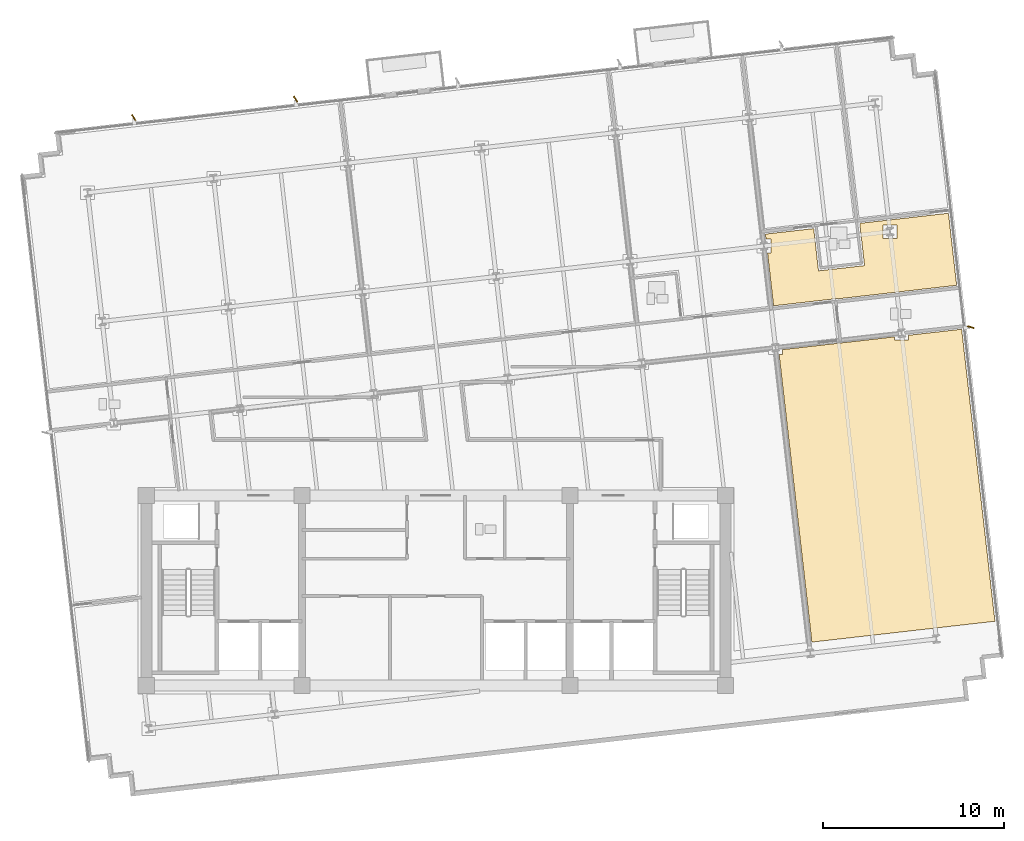
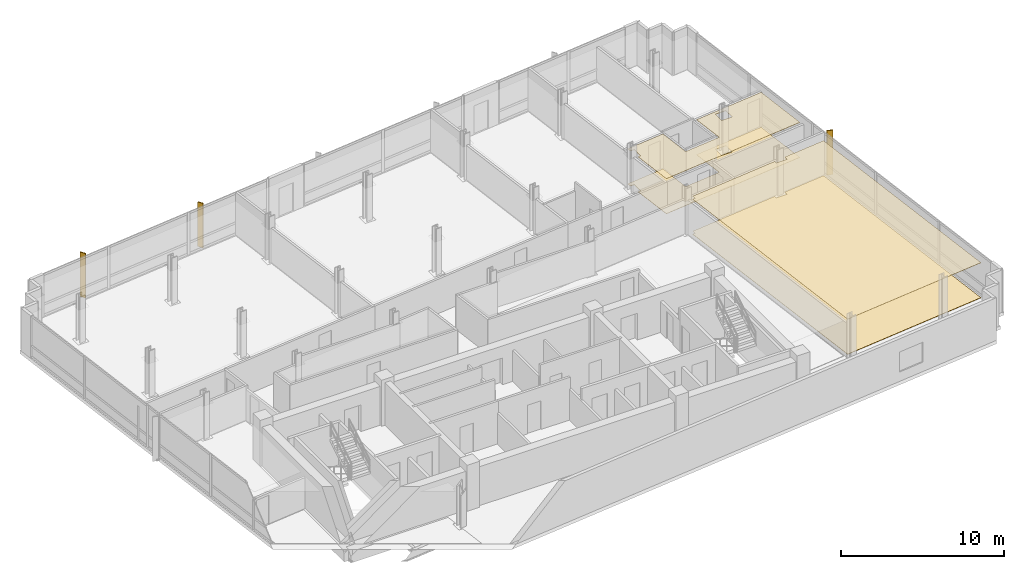
# One storey, part 14 of 16: 4 coverings, 3 shading devices.
"""IFC4 building model written with IfcOpenShell, lengths in metres."""

from ifc_helpers import new_model, si_unit, direction, frame, origin, origin_2d, place, context, subcontext, project, spatial, polyline, rectangle, outline, extrude, material, layer, layer_set, type_object, element, save


model = new_model("IFC4")

# Units and contexts
model_context = context("Model", 3, precision=1e-05, world=origin(), true_north=direction((0.0, 1.0)))
body_context = subcontext(model_context, "Body", "Model", "MODEL_VIEW")
ifc_project = project(units=[si_unit("LENGTHUNIT", "METRE"), si_unit("AREAUNIT", "SQUARE_METRE"), si_unit("VOLUMEUNIT", "CUBIC_METRE"), si_unit("PLANEANGLEUNIT", "RADIAN"), si_unit("MASSUNIT", "GRAM", prefix="KILO")], contexts=[model_context])

# Site, building, storey
site_placement = place(None, origin())
site = spatial("IfcSite", under=ifc_project, at=site_placement, CompositionType="ELEMENT")
building_placement = place(site_placement, origin())
building = spatial("IfcBuilding", under=site, at=building_placement, Name="Solmavex Isthmus Hotel", CompositionType="ELEMENT")
storey_placement = place(building_placement, frame((0.0, 0.0, 233.10009765625)))
storey = spatial("IfcBuildingStorey", under=building, at=storey_placement, Name="L63", CompositionType="ELEMENT", Elevation=233.10009765625)

# Coverings
ifc_material_1 = material(Name="Gypsum plasterboard lining", Category="gypsum")
ifc_layer_1 = layer(ifc_material_1, 0.030029296875)
ifc_layer_set_1 = layer_set([ifc_layer_1], Name="Gypsum plasterboard lining")
covering_type_1 = type_object("IfcCoveringType", Name="COV-CEIL-GYP", PredefinedType="CEILING", material=ifc_layer_set_1)
covering_1_placement = place(storey_placement, frame((0.0, 0.0, 2.619873046875)))
element("IfcCovering", 1, at=covering_1_placement, inside=storey, type_object=covering_type_1, Name="Suspended Acoustic Ceiling L63-SH04-LV", PredefinedType="CEILING", context=body_context, shape_type="SweptSolid", body=[
    extrude(outline(polyline([(18.23193359375, 11.6640625), (18.499267578125, 11.6640625), (18.499267578125, 10.904052734375), (18.318359375, 10.904052734375), (18.651611328125, 7.97998046875), (22.228515625, 8.3876953125), (22.230712890625, 8.36767578125), (28.766357421875, 9.1123046875), (28.312744140625, 13.094482421875), (23.410400390625, 12.5361328125), (23.676513671875, 10.201171875), (21.133056640625, 9.911376953125), (20.866943359375, 12.246337890625), (18.2001953125, 11.9423828125), (18.23193359375, 11.6640625)]), holes=[polyline([(24.7021484375, 11.697265625), (24.7021484375, 12.457275390625), (25.462158203125, 12.457275390625), (25.462158203125, 11.697265625), (24.7021484375, 11.697265625)])]), origin(), (0.0, 0.0, 1.0), 0.030029296875),
])
covering_2_placement = place(storey_placement, frame((0.0, 0.0, 2.619873046875)))
element("IfcCovering", 2, at=covering_2_placement, inside=storey, type_object=covering_type_1, Name="Suspended Acoustic Ceiling L63-FL11", PredefinedType="CEILING", context=body_context, shape_type="SweptSolid", body=[
    extrude(outline(polyline([(19.138427734375, 5.5595703125), (19.138427734375, 5.292236328125), (18.957763671875, 5.292236328125), (20.7685546875, -10.599853515625), (30.881103515625, -9.447509765625), (29.042724609375, 6.68798828125), (26.1015625, 6.35302734375), (26.1015625, 6.085693359375), (25.341552734375, 6.085693359375), (25.341552734375, 6.266357421875), (19.138427734375, 5.5595703125)])), origin(), (0.0, 0.0, 1.0), 0.030029296875),
])
ifc_material_2 = material(Name="Travertine natural stone", Category="masonry")
ifc_layer_2 = layer(ifc_material_2, 0.02490234375)
ifc_layer_set_2 = layer_set([ifc_layer_2], Name="Travertine natural stone")
covering_type_2 = type_object("IfcCoveringType", Name="COV-FLOR-STN", PredefinedType="FLOORING", material=ifc_layer_set_2)
covering_3_placement = place(storey_placement, origin())
element("IfcCovering", 3, at=covering_3_placement, inside=storey, type_object=covering_type_2, Name="Stone and Timber Floor Finish L63-SH04-LV", PredefinedType="FLOORING", context=body_context, shape_type="SweptSolid", body=[
    extrude(outline(polyline([(18.23193359375, 11.6640625), (18.499267578125, 11.6640625), (18.499267578125, 10.904052734375), (18.318359375, 10.904052734375), (18.651611328125, 7.97998046875), (22.228515625, 8.3876953125), (22.230712890625, 8.36767578125), (28.766357421875, 9.1123046875), (28.312744140625, 13.094482421875), (23.410400390625, 12.5361328125), (23.676513671875, 10.201171875), (21.133056640625, 9.911376953125), (20.866943359375, 12.246337890625), (18.2001953125, 11.9423828125), (18.23193359375, 11.6640625)]), holes=[polyline([(24.7021484375, 11.697265625), (24.7021484375, 12.457275390625), (25.462158203125, 12.457275390625), (25.462158203125, 11.697265625), (24.7021484375, 11.697265625)])]), origin(), (0.0, 0.0, 1.0), 0.02490234375),
])
covering_4_placement = place(storey_placement, origin())
element("IfcCovering", 4, at=covering_4_placement, inside=storey, type_object=covering_type_2, Name="Stone and Timber Floor Finish L63-FL11", PredefinedType="FLOORING", context=body_context, shape_type="SweptSolid", body=[
    extrude(outline(polyline([(19.138427734375, 5.5595703125), (19.138427734375, 5.292236328125), (18.957763671875, 5.292236328125), (20.7685546875, -10.599853515625), (30.881103515625, -9.447509765625), (29.042724609375, 6.68798828125), (26.1015625, 6.35302734375), (26.1015625, 6.085693359375), (25.341552734375, 6.085693359375), (25.341552734375, 6.266357421875), (19.138427734375, 5.5595703125)])), origin(), (0.0, 0.0, 1.0), 0.02490234375),
])

# Shading devices
ifc_material_3 = material(Name="Aluminium alloy 6063-T6", Category="aluminium")
shading_device_type = type_object("IfcShadingDeviceType", Name="SHD-FIN-CHAMP", PredefinedType="USERDEFINED", material=ifc_material_3)
for number, where, z_axis, x_axis, name in (
    (5, (-16.699951171875, 18.3798828125, -0.14013671875), (0.0, 0.0, 1.0), (-0.537299608347, 0.843391445813, 0.0), "Anodised Aluminium Solar Fin L63-N1"),
    (6, (-7.7578125, 19.39892578125, -0.14013671875), (0.0, 0.0, 1.0), (-0.537299608347, 0.843391445813, 0.0), "Anodised Aluminium Solar Fin L63-N2"),
    (7, (29.548095703125, 6.801025390625, -0.14013671875), (0.0, 0.0, 1.0), (0.953716950748, -0.300705799504, 0.0), "Anodised Aluminium Solar Fin L63-E1"),
):
    element("IfcShadingDevice", number, at=place(storey_placement, frame(where, z_axis=z_axis, x_axis=x_axis)), inside=storey, type_object=shading_device_type, Name=name, ObjectType="SOLAR_FIN", PredefinedType="USERDEFINED", context=body_context, shape_type="SweptSolid", body=[
        extrude(rectangle(XDim=0.3798828125, YDim=0.070068359375, at=origin_2d()), origin(), (0.0, 0.0, 1.0), 3.330078125),
    ])

save(model, "model.ifc")
